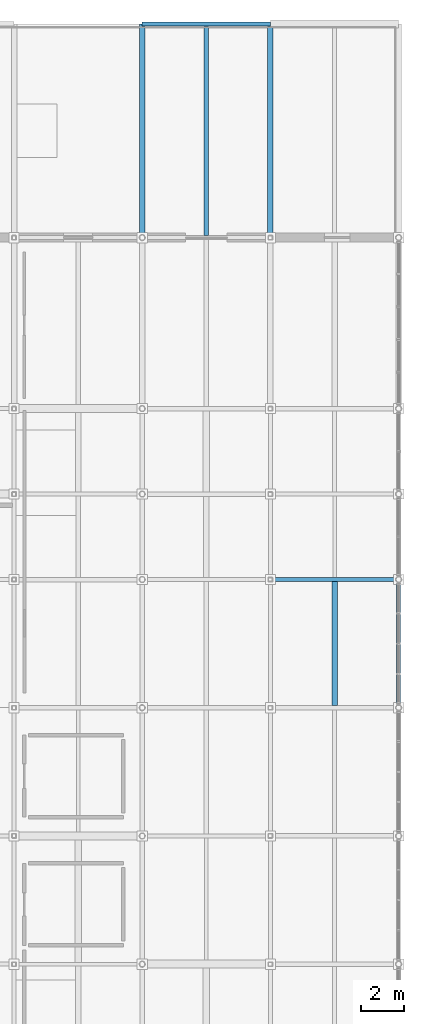
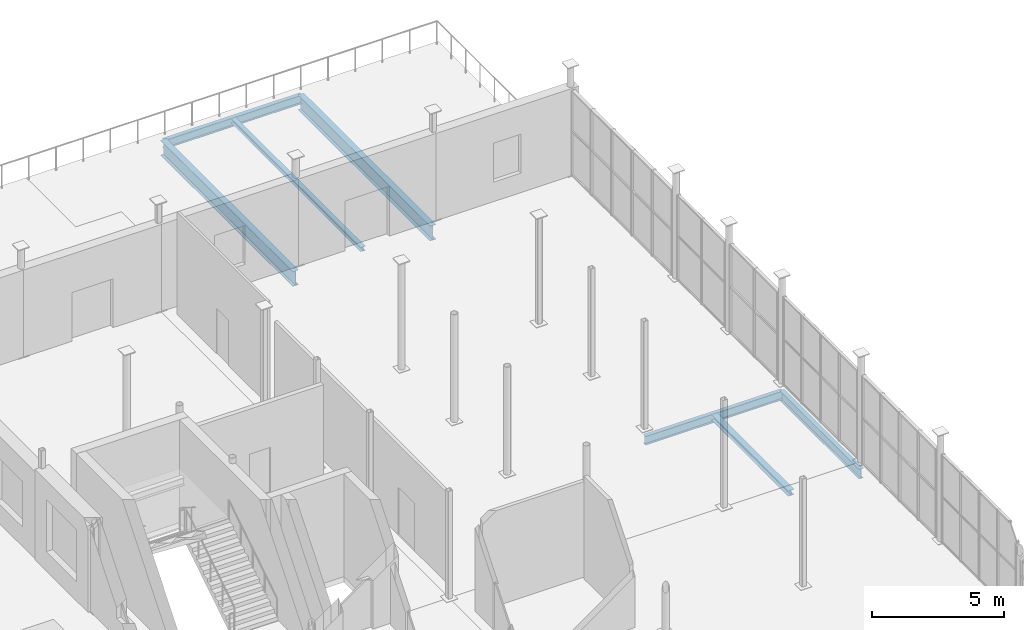
# One storey, part 16 of 27: 7 beams.
"""IFC4 building model written with IfcOpenShell, lengths in metres."""

from ifc_helpers import new_model, si_unit, direction, frame, origin, origin_2d, place, context, subcontext, project, spatial, i_section, extrude, material, material_profile, profile_set, type_object, element, save


model = new_model("IFC4")

# Units and contexts
model_context = context("Model", 3, precision=1e-05, world=origin(), true_north=direction((0.0, 1.0)))
body_context = subcontext(model_context, "Body", "Model", "MODEL_VIEW")
ifc_project = project(units=[si_unit("LENGTHUNIT", "METRE"), si_unit("AREAUNIT", "SQUARE_METRE"), si_unit("VOLUMEUNIT", "CUBIC_METRE"), si_unit("PLANEANGLEUNIT", "RADIAN"), si_unit("MASSUNIT", "GRAM", prefix="KILO")], contexts=[model_context])

# Site, building, storey
site_placement = place(None, origin())
site = spatial("IfcSite", under=ifc_project, at=site_placement, CompositionType="ELEMENT")
building_placement = place(site_placement, origin())
building = spatial("IfcBuilding", under=site, at=building_placement, Name="Verrall Gate Interchange", CompositionType="ELEMENT")
storey_placement = place(building_placement, frame((0.0, 0.0, 23.60009765625)))
storey = spatial("IfcBuildingStorey", under=building, at=storey_placement, Name="L06", CompositionType="ELEMENT", Elevation=23.60009765625)

# Beams
ifc_material_1 = material(Name="Structural Steel CSA G40.21 350WT Cat 4", Category="steel")
ifc_material_profile_1 = material_profile(ifc_material_1, i_section(OverallWidth=0.256103515625, OverallDepth=0.693115234375, WebThickness=0.01318359375, FlangeThickness=0.02001953125, FilletRadius=0.01611328125, at=origin_2d()), Name="W690x170")
ifc_profile_set_1 = profile_set([ifc_material_profile_1], Name="Structural Steel CSA G40.21 350WT Cat 4")
beam_type_1 = type_object("IfcBeamType", Name="B-07 Structural Beam W690x170", PredefinedType="BEAM", material=ifc_profile_set_1)
for number, where, z_axis, x_axis, name in (
    (1, (24.0, 56.0, -0.676513671875), (0.0, 1.0, 0.0), (-1.0, 0.0, 0.0), "L06 Girder BM-L06-3163 (B-07)"),
    (2, (30.0, 56.0, -0.676513671875), (0.0, 1.0, 0.0), (-1.0, 0.0, 0.0), "L06 Girder BM-L06-3173 (B-07)"),
):
    element("IfcBeam", number, at=place(storey_placement, frame(where, z_axis=z_axis, x_axis=x_axis)), inside=storey, type_object=beam_type_1, Name=name, PredefinedType="BEAM", context=body_context, shape_type="SweptSolid", body=[
        extrude(i_section(OverallWidth=0.256103515625, OverallDepth=0.693115234375, WebThickness=0.01318359375, FlangeThickness=0.02001953125, FilletRadius=0.01611328125, at=origin_2d()), origin(), (0.0, 0.0, 1.0), 10.0),
    ])
ifc_material_2 = material(Name="Structural Steel CSA G40.21 350W", Category="steel")
ifc_material_profile_2 = material_profile(ifc_material_2, i_section(OverallWidth=0.19189453125, OverallDepth=0.462890625, WebThickness=0.010498046875, FlangeThickness=0.017578125, FilletRadius=0.012939453125, at=origin_2d()), Name="W460x89")
ifc_profile_set_2 = profile_set([ifc_material_profile_2], Name="Structural Steel CSA G40.21 350W")
beam_type_2 = type_object("IfcBeamType", Name="B-11 Structural Beam W460x89", PredefinedType="BEAM", material=ifc_profile_set_2)
beam_1_placement = place(storey_placement, frame((36.0, 34.0, -0.5615234375), z_axis=(0.0, 1.0, 0.0), x_axis=(-1.0, 0.0, 0.0)))
element("IfcBeam", 3, at=beam_1_placement, inside=storey, type_object=beam_type_2, Name="L06 Girder BM-L06-3179 (B-11)", PredefinedType="BEAM", context=body_context, shape_type="SweptSolid", body=[
    extrude(i_section(OverallWidth=0.19189453125, OverallDepth=0.462890625, WebThickness=0.010498046875, FlangeThickness=0.017578125, FilletRadius=0.012939453125, at=origin_2d()), origin(), (0.0, 0.0, 1.0), 6.0),
])
ifc_material_3 = material(Name="Structural Steel CSA G40.21 350W", Category="steel")
ifc_material_profile_3 = material_profile(ifc_material_3, i_section(OverallWidth=0.178955078125, OverallDepth=0.409912109375, WebThickness=0.0087890625, FlangeThickness=0.014404296875, FilletRadius=0.011962890625, at=origin_2d()), Name="W410x67")
ifc_profile_set_3 = profile_set([ifc_material_profile_3], Name="Structural Steel CSA G40.21 350W")
beam_type_3 = type_object("IfcBeamType", Name="B-12 Structural Beam W410x67", PredefinedType="BEAM", material=ifc_profile_set_3)
for number, where, z_axis, x_axis, name in (
    (4, (30.0, 40.0, -0.53515625), (1.0, 0.0, 0.0), (0.0, 1.0, 0.0), "L06 Girder BM-L06-3090 (B-12)"),
    (5, (24.0, 66.0, -0.53515625), (1.0, 0.0, 0.0), (0.0, 1.0, 0.0), "L06 Girder BM-L06-3111 (B-12)"),
):
    element("IfcBeam", number, at=place(storey_placement, frame(where, z_axis=z_axis, x_axis=x_axis)), inside=storey, type_object=beam_type_3, Name=name, PredefinedType="BEAM", context=body_context, shape_type="SweptSolid", body=[
        extrude(i_section(OverallWidth=0.178955078125, OverallDepth=0.409912109375, WebThickness=0.0087890625, FlangeThickness=0.014404296875, FilletRadius=0.011962890625, at=origin_2d()), origin(), (0.0, 0.0, 1.0), 6.0),
    ])
ifc_material_4 = material(Name="Structural Steel CSA G40.21 350W", Category="steel")
ifc_material_profile_4 = material_profile(ifc_material_4, i_section(OverallWidth=0.25390625, OverallDepth=0.2529296875, WebThickness=0.008544921875, FlangeThickness=0.01416015625, FilletRadius=0.011962890625, at=origin_2d()), Name="W250x73")
ifc_profile_set_4 = profile_set([ifc_material_profile_4], Name="Structural Steel CSA G40.21 350W")
beam_type_4 = type_object("IfcBeamType", Name="J-05 Floor Joist W250x73", PredefinedType="JOIST", material=ifc_profile_set_4)
beam_2_placement = place(storey_placement, frame((33.0, 34.095947265625, -0.45654296875), z_axis=(0.0, 1.0, 0.0), x_axis=(-1.0, 0.0, 0.0)))
element("IfcBeam", 6, at=beam_2_placement, inside=storey, type_object=beam_type_4, Name="L06 Secondary Floor Joist JST-L06-3206", PredefinedType="JOIST", context=body_context, shape_type="SweptSolid", body=[
    extrude(i_section(OverallWidth=0.25390625, OverallDepth=0.2529296875, WebThickness=0.008544921875, FlangeThickness=0.01416015625, FilletRadius=0.011962890625, at=origin_2d()), origin(), (0.0, 0.0, 1.0), 5.814453125),
])
ifc_material_5 = material(Name="Structural Steel CSA G40.21 350W", Category="steel")
ifc_material_profile_5 = material_profile(ifc_material_5, i_section(OverallWidth=0.202880859375, OverallDepth=0.202880859375, WebThickness=0.007080078125, FlangeThickness=0.010986328125, FilletRadius=0.010009765625, at=origin_2d()), Name="W200x46")
ifc_profile_set_5 = profile_set([ifc_material_profile_5], Name="Structural Steel CSA G40.21 350W")
beam_type_5 = type_object("IfcBeamType", Name="J-07 Floor Joist W200x46", PredefinedType="JOIST", material=ifc_profile_set_5)
beam_3_placement = place(storey_placement, frame((27.0, 56.089599609375, -0.431640625), z_axis=(0.0, 1.0, 0.0), x_axis=(-1.0, 0.0, 0.0)))
element("IfcBeam", 7, at=beam_3_placement, inside=storey, type_object=beam_type_5, Name="L06 Secondary Floor Joist JST-L06-3220", PredefinedType="JOIST", context=body_context, shape_type="SweptSolid", body=[
    extrude(i_section(OverallWidth=0.202880859375, OverallDepth=0.202880859375, WebThickness=0.007080078125, FlangeThickness=0.010986328125, FilletRadius=0.010009765625, at=origin_2d()), origin(), (0.0, 0.0, 1.0), 9.82080078125),
])

save(model, "model.ifc")
